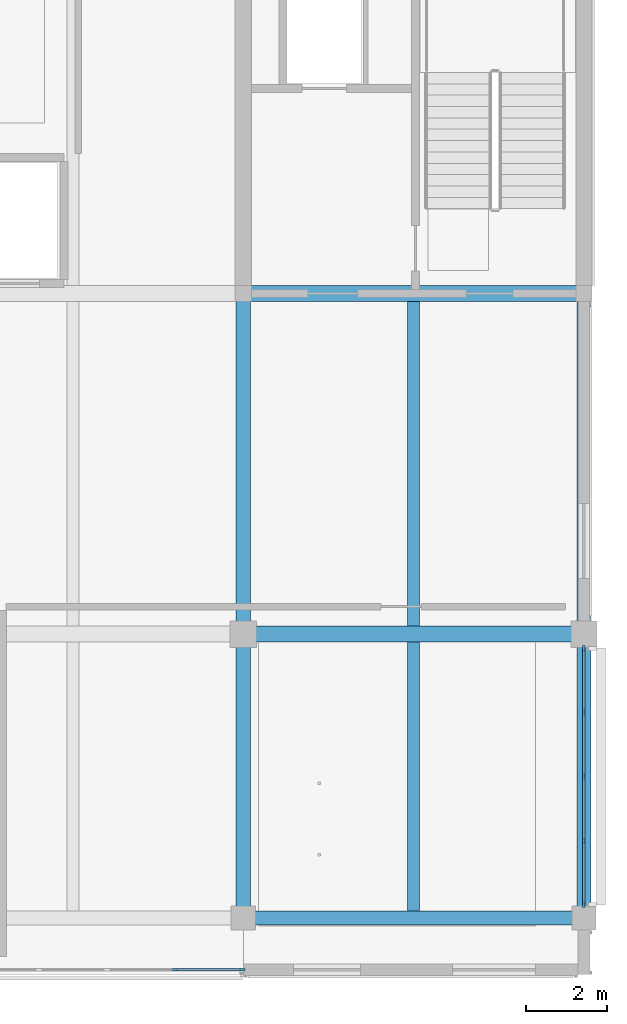
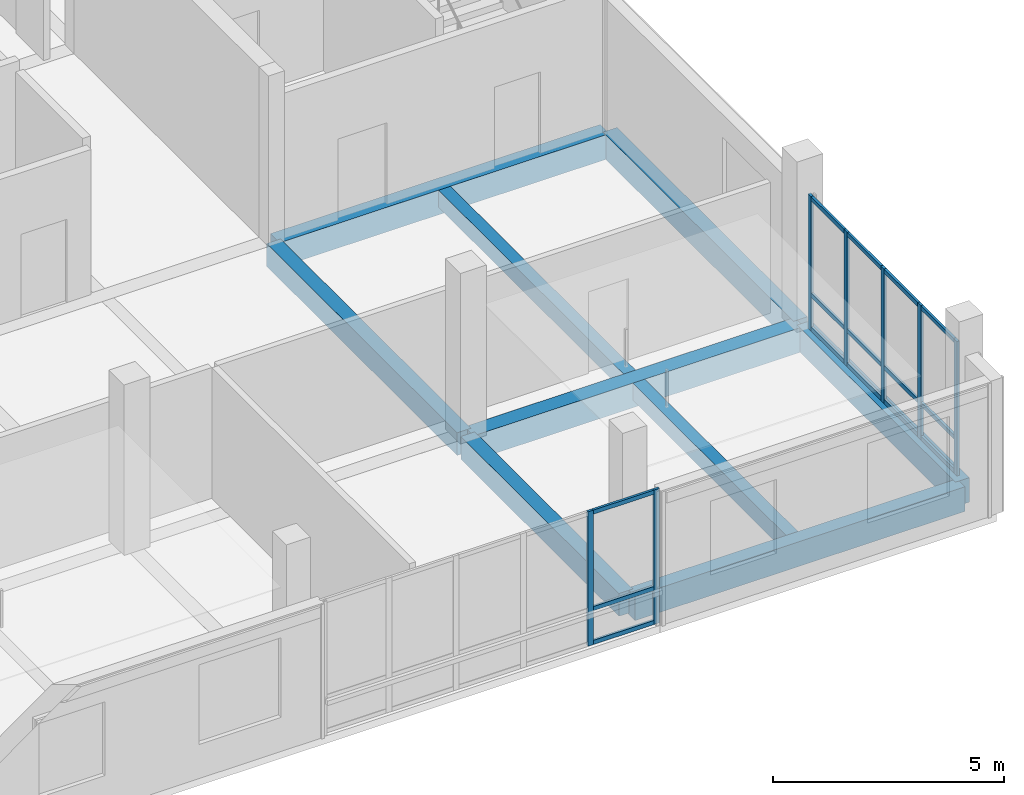
# One storey, part 6 of 29: 22 members, 9 beams, 2 elements without a shape of their own.
"""IFC4 building model written with IfcOpenShell, lengths in metres."""

from ifc_helpers import new_model, si_unit, direction, frame, origin, origin_2d, place, context, subcontext, project, spatial, rectangle, extrude, material, layer, layer_set, material_profile, profile_set, type_object, element, aggregate, save


model = new_model("IFC4")

# Units and contexts
model_context = context("Model", 3, precision=1e-05, world=origin(), true_north=direction((0.0, 1.0)))
body_context = subcontext(model_context, "Body", "Model", "MODEL_VIEW")
ifc_project = project(units=[si_unit("LENGTHUNIT", "METRE"), si_unit("AREAUNIT", "SQUARE_METRE"), si_unit("VOLUMEUNIT", "CUBIC_METRE"), si_unit("PLANEANGLEUNIT", "RADIAN"), si_unit("MASSUNIT", "GRAM", prefix="KILO")], contexts=[model_context])

# Site, building, storey
site_placement = place(None, origin())
site = spatial("IfcSite", under=ifc_project, at=site_placement, CompositionType="ELEMENT")
building_placement = place(site_placement, origin())
building = spatial("IfcBuilding", under=site, at=building_placement, Name="Telukmera Botanical Conservatory", CompositionType="ELEMENT")
storey_placement = place(building_placement, frame((0.0, 0.0, 55.5)))
storey = spatial("IfcBuildingStorey", under=building, at=storey_placement, Name="L12", CompositionType="ELEMENT", Elevation=55.5)

# Beams
ifc_material_1 = material(Name="Concrete C40/50", Category="concrete")
ifc_material_profile_1 = material_profile(ifc_material_1, rectangle(XDim=0.300048828125, YDim=0.449951171875, at=origin_2d()), Name="RC 300x450")
ifc_profile_set_1 = profile_set([ifc_material_profile_1], Name="Concrete C40/50")
beam_type_1 = type_object("IfcBeamType", Name="Beam_B25", PredefinedType="JOIST", material=ifc_profile_set_1)
beam_1_placement = place(storey_placement, frame((96.60009765625, 10.77490234375, -0.22509765625), z_axis=(0.0, 1.0, 0.0), x_axis=(-1.0, 0.0, 0.0)))
element("IfcBeam", 1, at=beam_1_placement, inside=storey, type_object=beam_type_1, Name="Tower Secondary Floor Joist L12", PredefinedType="JOIST", context=body_context, shape_type="SweptSolid", body=[
    extrude(rectangle(XDim=0.300048828125, YDim=0.449951171875, at=origin_2d()), origin(), (0.0, 0.0, 1.0), 6.625),
])
beam_2_placement = place(storey_placement, frame((96.60009765625, 17.800048828125, -0.22509765625), z_axis=(0.0, 1.0, 0.0), x_axis=(-1.0, 0.0, 0.0)))
element("IfcBeam", 2, at=beam_2_placement, inside=storey, type_object=beam_type_1, Name="Tower Secondary Floor Joist L12", PredefinedType="JOIST", context=body_context, shape_type="SweptSolid", body=[
    extrude(rectangle(XDim=0.300048828125, YDim=0.449951171875, at=origin_2d()), origin(), (0.0, 0.0, 1.0), 8.0),
])
ifc_material_profile_2 = material_profile(ifc_material_1, rectangle(XDim=0.39990234375, YDim=0.64990234375, at=origin_2d()), Name="RC 400x650")
ifc_profile_set_2 = profile_set([ifc_material_profile_2], Name="Concrete C40/50")
beam_type_2 = type_object("IfcBeamType", Name="Beam_B8", PredefinedType="BEAM", material=ifc_profile_set_2)
for number, where, z_axis, x_axis, name in (
    (3, (92.47998046875, 17.60009765625, -0.324951171875), (1.0, 0.0, 0.0), (0.0, 1.0, 0.0), "Tower Grid Beam L12"),
    (4, (92.47998046875, 26.0, -0.324951171875), (1.0, 0.0, 0.0), (0.0, 1.0, 0.0), "Tower Grid Beam L12"),
):
    element("IfcBeam", number, at=place(storey_placement, frame(where, z_axis=z_axis, x_axis=x_axis)), inside=storey, type_object=beam_type_2, Name=name, PredefinedType="BEAM", context=body_context, shape_type="SweptSolid", body=[
        extrude(rectangle(XDim=0.39990234375, YDim=0.64990234375, at=origin_2d()), origin(), (0.0, 0.0, 1.0), 8.239990234375),
    ])
ifc_material_profile_3 = material_profile(ifc_material_1, rectangle(XDim=0.35009765625, YDim=0.60009765625, at=origin_2d()), Name="RC 350x600")
ifc_profile_set_3 = profile_set([ifc_material_profile_3], Name="Concrete C40/50")
beam_type_3 = type_object("IfcBeamType", Name="Beam_B9", PredefinedType="BEAM", material=ifc_profile_set_3)
beam_3_placement = place(storey_placement, frame((92.39990234375, 10.679931640625, -0.300048828125), z_axis=(0.0, 1.0, 0.0), x_axis=(-1.0, 0.0, 0.0)))
element("IfcBeam", 5, at=beam_3_placement, inside=storey, type_object=beam_type_3, Name="Tower Transverse Beam L12", PredefinedType="BEAM", context=body_context, shape_type="SweptSolid", body=[
    extrude(rectangle(XDim=0.35009765625, YDim=0.60009765625, at=origin_2d()), origin(), (0.0, 0.0, 1.0), 6.840087890625),
])
beam_4_placement = place(storey_placement, frame((92.39990234375, 17.679931640625, -0.300048828125), z_axis=(0.0, 1.0, 0.0), x_axis=(-1.0, 0.0, 0.0)))
element("IfcBeam", 6, at=beam_4_placement, inside=storey, type_object=beam_type_3, Name="Tower Transverse Beam L12", PredefinedType="BEAM", context=body_context, shape_type="SweptSolid", body=[
    extrude(rectangle(XDim=0.35009765625, YDim=0.60009765625, at=origin_2d()), origin(), (0.0, 0.0, 1.0), 8.239990234375),
])
ifc_material_2 = material(Name="Precast concrete C40/50", Category="concrete")
ifc_material_profile_4 = material_profile(ifc_material_2, rectangle(XDim=0.35009765625, YDim=0.64990234375, at=origin_2d()), Name="PC 350x650")
ifc_profile_set_4 = profile_set([ifc_material_profile_4], Name="Precast concrete C40/50")
beam_type_4 = type_object("IfcBeamType", Name="Beam_SP3", PredefinedType="SPANDREL", material=ifc_profile_set_4)
beam_5_placement = place(storey_placement, frame((92.47998046875, 10.60009765625, -0.324951171875), z_axis=(1.0, 0.0, 0.0), x_axis=(0.0, 1.0, 0.0)))
element("IfcBeam", 7, at=beam_5_placement, inside=storey, type_object=beam_type_4, Name="Tower Grid Beam L12", PredefinedType="SPANDREL", context=body_context, shape_type="SweptSolid", body=[
    extrude(rectangle(XDim=0.35009765625, YDim=0.64990234375, at=origin_2d()), origin(), (0.0, 0.0, 1.0), 8.239990234375),
])
beam_6_placement = place(storey_placement, frame((100.800048828125, 10.679931640625, -0.324951171875), z_axis=(0.0, 1.0, 0.0), x_axis=(-1.0, 0.0, 0.0)))
element("IfcBeam", 8, at=beam_6_placement, inside=storey, type_object=beam_type_4, Name="Tower Transverse Beam L12", PredefinedType="SPANDREL", context=body_context, shape_type="SweptSolid", body=[
    extrude(rectangle(XDim=0.35009765625, YDim=0.64990234375, at=origin_2d()), origin(), (0.0, 0.0, 1.0), 6.840087890625),
])
beam_7_placement = place(storey_placement, frame((100.800048828125, 17.679931640625, -0.324951171875), z_axis=(0.0, 1.0, 0.0), x_axis=(-1.0, 0.0, 0.0)))
element("IfcBeam", 9, at=beam_7_placement, inside=storey, type_object=beam_type_4, Name="Tower Transverse Beam L12", PredefinedType="SPANDREL", context=body_context, shape_type="SweptSolid", body=[
    extrude(rectangle(XDim=0.35009765625, YDim=0.64990234375, at=origin_2d()), origin(), (0.0, 0.0, 1.0), 8.239990234375),
])

# Curtain wall, members
ifc_material_3 = material(Name="Anodised aluminium 6063-T6", Category="aluminium")
ifc_layer = layer(ifc_material_3, 0.179931640625)
ifc_layer_set = layer_set([ifc_layer], Name="Anodised aluminium 6063-T6")
curtain_wall_type = type_object("IfcCurtainWallType", Name="Tower Research Laboratory Unitised Curtain Wall", PredefinedType="USERDEFINED", material=ifc_layer_set)
curtain_wall_1_placement = place(storey_placement, origin())
curtain_wall_1 = element("IfcCurtainWall", 10, at=curtain_wall_1_placement, inside=storey, type_object=curtain_wall_type, Name="Unitised Curtain Wall CW15 V4:L12:S4", ObjectType="UNITISED CURTAIN WALL", PredefinedType="USERDEFINED")
ifc_material_profile_5 = material_profile(ifc_material_3, rectangle(XDim=0.06005859375, YDim=0.139892578125, at=origin_2d()), Name="ALU MULL 60x140")
ifc_profile_set_5 = profile_set([ifc_material_profile_5], Name="Anodised aluminium 6063-T6")
member_type_1 = type_object("IfcMemberType", Name="Curtain Wall Extruded Mullion 60x140", PredefinedType="MULLION", material=ifc_profile_set_5)
member_1_placement = place(storey_placement, frame((90.71875, 9.320068359375, 0.0), z_axis=(0.0, 0.0, 1.0), x_axis=(0.0, 1.0, 0.0)))
member_1 = element("IfcMember", 11, at=member_1_placement, type_object=member_type_1, Name="CW15 mullion 5", PredefinedType="MULLION", context=body_context, shape_type="SweptSolid", body=[
    extrude(rectangle(XDim=0.06005859375, YDim=0.139892578125, at=origin_2d()), origin(), (0.0, 0.0, 1.0), 3.550048828125),
])
member_2_placement = place(storey_placement, frame((92.367919921875, 9.320068359375, 0.0), z_axis=(0.0, 0.0, 1.0), x_axis=(0.0, 1.0, 0.0)))
member_2 = element("IfcMember", 12, at=member_2_placement, type_object=member_type_1, Name="CW15 mullion 6", PredefinedType="MULLION", context=body_context, shape_type="SweptSolid", body=[
    extrude(rectangle(XDim=0.06005859375, YDim=0.139892578125, at=origin_2d()), origin(), (0.0, 0.0, 1.0), 3.550048828125),
])

curtain_wall_2_placement = place(storey_placement, origin())
curtain_wall_2 = element("IfcCurtainWall", 13, at=curtain_wall_2_placement, inside=storey, type_object=curtain_wall_type, Name="Unitised Curtain Wall CW15 V4:L12:E1", ObjectType="UNITISED CURTAIN WALL", PredefinedType="USERDEFINED")
member_3_placement = place(storey_placement, frame((100.800048828125, 10.931884765625, 0.0), z_axis=(0.0, 0.0, 1.0), x_axis=(-1.0, 0.0, 0.0)))
member_3 = element("IfcMember", 14, at=member_3_placement, type_object=member_type_1, Name="CW15 mullion 1", PredefinedType="MULLION", context=body_context, shape_type="SweptSolid", body=[
    extrude(rectangle(XDim=0.06005859375, YDim=0.139892578125, at=origin_2d()), origin(), (0.0, 0.0, 1.0), 3.550048828125),
])
member_4_placement = place(storey_placement, frame((100.800048828125, 12.49462890625, 0.0), z_axis=(0.0, 0.0, 1.0), x_axis=(-1.0, 0.0, 0.0)))
member_4 = element("IfcMember", 15, at=member_4_placement, type_object=member_type_1, Name="CW15 mullion 2", PredefinedType="MULLION", context=body_context, shape_type="SweptSolid", body=[
    extrude(rectangle(XDim=0.06005859375, YDim=0.139892578125, at=origin_2d()), origin(), (0.0, 0.0, 1.0), 3.550048828125),
])
member_5_placement = place(storey_placement, frame((100.800048828125, 14.08740234375, 0.0), z_axis=(0.0, 0.0, 1.0), x_axis=(-1.0, 0.0, 0.0)))
member_5 = element("IfcMember", 16, at=member_5_placement, type_object=member_type_1, Name="CW15 mullion 3", PredefinedType="MULLION", context=body_context, shape_type="SweptSolid", body=[
    extrude(rectangle(XDim=0.06005859375, YDim=0.139892578125, at=origin_2d()), origin(), (0.0, 0.0, 1.0), 3.550048828125),
])
member_6_placement = place(storey_placement, frame((100.800048828125, 15.68017578125, 0.0), z_axis=(0.0, 0.0, 1.0), x_axis=(-1.0, 0.0, 0.0)))
member_6 = element("IfcMember", 17, at=member_6_placement, type_object=member_type_1, Name="CW15 mullion 4", PredefinedType="MULLION", context=body_context, shape_type="SweptSolid", body=[
    extrude(rectangle(XDim=0.06005859375, YDim=0.139892578125, at=origin_2d()), origin(), (0.0, 0.0, 1.0), 3.550048828125),
])
member_7_placement = place(storey_placement, frame((100.800048828125, 17.242919921875, 0.0), z_axis=(0.0, 0.0, 1.0), x_axis=(-1.0, 0.0, 0.0)))
member_7 = element("IfcMember", 18, at=member_7_placement, type_object=member_type_1, Name="CW15 mullion 5", PredefinedType="MULLION", context=body_context, shape_type="SweptSolid", body=[
    extrude(rectangle(XDim=0.06005859375, YDim=0.139892578125, at=origin_2d()), origin(), (0.0, 0.0, 1.0), 3.550048828125),
])

# Member
ifc_material_profile_6 = material_profile(ifc_material_3, rectangle(XDim=0.06005859375, YDim=0.110107421875, at=origin_2d()), Name="ALU TRAN 60x110")
ifc_profile_set_6 = profile_set([ifc_material_profile_6], Name="Anodised aluminium 6063-T6")
member_type_2 = type_object("IfcMemberType", Name="Curtain Wall Extruded Transom 60x110", PredefinedType="USERDEFINED", material=ifc_profile_set_6)
member_8_placement = place(storey_placement, frame((90.748779296875, 9.320068359375, 0.054931640625), z_axis=(1.0, 0.0, 0.0), x_axis=(0.0, 1.0, 0.0)))
member_8 = element("IfcMember", 19, at=member_8_placement, type_object=member_type_2, Name="CW15 transom 5.1", ObjectType="TRANSOM", PredefinedType="USERDEFINED", context=body_context, shape_type="SweptSolid", body=[
    extrude(rectangle(XDim=0.06005859375, YDim=0.110107421875, at=origin_2d()), origin(), (0.0, 0.0, 1.0), 1.589111328125),
])

member_9_placement = place(storey_placement, frame((90.748779296875, 9.320068359375, 0.949951171875), z_axis=(1.0, 0.0, 0.0), x_axis=(0.0, 1.0, 0.0)))
member_9 = element("IfcMember", 20, at=member_9_placement, type_object=member_type_2, Name="CW15 transom 5.2", ObjectType="TRANSOM", PredefinedType="USERDEFINED", context=body_context, shape_type="SweptSolid", body=[
    extrude(rectangle(XDim=0.06005859375, YDim=0.110107421875, at=origin_2d()), origin(), (0.0, 0.0, 1.0), 1.589111328125),
])

member_10_placement = place(storey_placement, frame((90.748779296875, 9.320068359375, 3.4951171875), z_axis=(1.0, 0.0, 0.0), x_axis=(0.0, 1.0, 0.0)))
member_10 = element("IfcMember", 21, at=member_10_placement, type_object=member_type_2, Name="CW15 transom 5.3", ObjectType="TRANSOM", PredefinedType="USERDEFINED", context=body_context, shape_type="SweptSolid", body=[
    extrude(rectangle(XDim=0.06005859375, YDim=0.110107421875, at=origin_2d()), origin(), (0.0, 0.0, 1.0), 1.589111328125),
])

aggregate(curtain_wall_1, [member_1, member_2, member_8, member_9, member_10])

member_11_placement = place(storey_placement, frame((100.800048828125, 10.9619140625, 0.054931640625), z_axis=(0.0, 1.0, 0.0), x_axis=(-1.0, 0.0, 0.0)))
member_11 = element("IfcMember", 22, at=member_11_placement, type_object=member_type_2, Name="CW15 transom 1.1", ObjectType="TRANSOM", PredefinedType="USERDEFINED", context=body_context, shape_type="SweptSolid", body=[
    extrude(rectangle(XDim=0.06005859375, YDim=0.110107421875, at=origin_2d()), origin(), (0.0, 0.0, 1.0), 1.5029296875),
])

member_12_placement = place(storey_placement, frame((100.800048828125, 10.9619140625, 0.949951171875), z_axis=(0.0, 1.0, 0.0), x_axis=(-1.0, 0.0, 0.0)))
member_12 = element("IfcMember", 23, at=member_12_placement, type_object=member_type_2, Name="CW15 transom 1.2", ObjectType="TRANSOM", PredefinedType="USERDEFINED", context=body_context, shape_type="SweptSolid", body=[
    extrude(rectangle(XDim=0.06005859375, YDim=0.110107421875, at=origin_2d()), origin(), (0.0, 0.0, 1.0), 1.5029296875),
])

member_13_placement = place(storey_placement, frame((100.800048828125, 10.9619140625, 3.4951171875), z_axis=(0.0, 1.0, 0.0), x_axis=(-1.0, 0.0, 0.0)))
member_13 = element("IfcMember", 24, at=member_13_placement, type_object=member_type_2, Name="CW15 transom 1.3", ObjectType="TRANSOM", PredefinedType="USERDEFINED", context=body_context, shape_type="SweptSolid", body=[
    extrude(rectangle(XDim=0.06005859375, YDim=0.110107421875, at=origin_2d()), origin(), (0.0, 0.0, 1.0), 1.5029296875),
])

member_14_placement = place(storey_placement, frame((100.800048828125, 12.524658203125, 0.054931640625), z_axis=(0.0, 1.0, 0.0), x_axis=(-1.0, 0.0, 0.0)))
member_14 = element("IfcMember", 25, at=member_14_placement, type_object=member_type_2, Name="CW15 transom 2.1", ObjectType="TRANSOM", PredefinedType="USERDEFINED", context=body_context, shape_type="SweptSolid", body=[
    extrude(rectangle(XDim=0.06005859375, YDim=0.110107421875, at=origin_2d()), origin(), (0.0, 0.0, 1.0), 1.532958984375),
])

member_15_placement = place(storey_placement, frame((100.800048828125, 12.524658203125, 0.949951171875), z_axis=(0.0, 1.0, 0.0), x_axis=(-1.0, 0.0, 0.0)))
member_15 = element("IfcMember", 26, at=member_15_placement, type_object=member_type_2, Name="CW15 transom 2.2", ObjectType="TRANSOM", PredefinedType="USERDEFINED", context=body_context, shape_type="SweptSolid", body=[
    extrude(rectangle(XDim=0.06005859375, YDim=0.110107421875, at=origin_2d()), origin(), (0.0, 0.0, 1.0), 1.532958984375),
])

member_16_placement = place(storey_placement, frame((100.800048828125, 12.524658203125, 3.4951171875), z_axis=(0.0, 1.0, 0.0), x_axis=(-1.0, 0.0, 0.0)))
member_16 = element("IfcMember", 27, at=member_16_placement, type_object=member_type_2, Name="CW15 transom 2.3", ObjectType="TRANSOM", PredefinedType="USERDEFINED", context=body_context, shape_type="SweptSolid", body=[
    extrude(rectangle(XDim=0.06005859375, YDim=0.110107421875, at=origin_2d()), origin(), (0.0, 0.0, 1.0), 1.532958984375),
])

member_17_placement = place(storey_placement, frame((100.800048828125, 14.117431640625, 0.054931640625), z_axis=(0.0, 1.0, 0.0), x_axis=(-1.0, 0.0, 0.0)))
member_17 = element("IfcMember", 28, at=member_17_placement, type_object=member_type_2, Name="CW15 transom 3.1", ObjectType="TRANSOM", PredefinedType="USERDEFINED", context=body_context, shape_type="SweptSolid", body=[
    extrude(rectangle(XDim=0.06005859375, YDim=0.110107421875, at=origin_2d()), origin(), (0.0, 0.0, 1.0), 1.53271484375),
])

member_18_placement = place(storey_placement, frame((100.800048828125, 14.117431640625, 0.949951171875), z_axis=(0.0, 1.0, 0.0), x_axis=(-1.0, 0.0, 0.0)))
member_18 = element("IfcMember", 29, at=member_18_placement, type_object=member_type_2, Name="CW15 transom 3.2", ObjectType="TRANSOM", PredefinedType="USERDEFINED", context=body_context, shape_type="SweptSolid", body=[
    extrude(rectangle(XDim=0.06005859375, YDim=0.110107421875, at=origin_2d()), origin(), (0.0, 0.0, 1.0), 1.53271484375),
])

member_19_placement = place(storey_placement, frame((100.800048828125, 14.117431640625, 3.4951171875), z_axis=(0.0, 1.0, 0.0), x_axis=(-1.0, 0.0, 0.0)))
member_19 = element("IfcMember", 30, at=member_19_placement, type_object=member_type_2, Name="CW15 transom 3.3", ObjectType="TRANSOM", PredefinedType="USERDEFINED", context=body_context, shape_type="SweptSolid", body=[
    extrude(rectangle(XDim=0.06005859375, YDim=0.110107421875, at=origin_2d()), origin(), (0.0, 0.0, 1.0), 1.53271484375),
])

member_20_placement = place(storey_placement, frame((100.800048828125, 15.710205078125, 0.054931640625), z_axis=(0.0, 1.0, 0.0), x_axis=(-1.0, 0.0, 0.0)))
member_20 = element("IfcMember", 31, at=member_20_placement, type_object=member_type_2, Name="CW15 transom 4.1", ObjectType="TRANSOM", PredefinedType="USERDEFINED", context=body_context, shape_type="SweptSolid", body=[
    extrude(rectangle(XDim=0.06005859375, YDim=0.110107421875, at=origin_2d()), origin(), (0.0, 0.0, 1.0), 1.502685546875),
])

member_21_placement = place(storey_placement, frame((100.800048828125, 15.710205078125, 0.949951171875), z_axis=(0.0, 1.0, 0.0), x_axis=(-1.0, 0.0, 0.0)))
member_21 = element("IfcMember", 32, at=member_21_placement, type_object=member_type_2, Name="CW15 transom 4.2", ObjectType="TRANSOM", PredefinedType="USERDEFINED", context=body_context, shape_type="SweptSolid", body=[
    extrude(rectangle(XDim=0.06005859375, YDim=0.110107421875, at=origin_2d()), origin(), (0.0, 0.0, 1.0), 1.502685546875),
])

member_22_placement = place(storey_placement, frame((100.800048828125, 15.710205078125, 3.4951171875), z_axis=(0.0, 1.0, 0.0), x_axis=(-1.0, 0.0, 0.0)))
member_22 = element("IfcMember", 33, at=member_22_placement, type_object=member_type_2, Name="CW15 transom 4.3", ObjectType="TRANSOM", PredefinedType="USERDEFINED", context=body_context, shape_type="SweptSolid", body=[
    extrude(rectangle(XDim=0.06005859375, YDim=0.110107421875, at=origin_2d()), origin(), (0.0, 0.0, 1.0), 1.502685546875),
])

aggregate(curtain_wall_2, [member_3, member_4, member_5, member_6, member_7, member_11, member_12, member_13, member_14, member_15, member_16, member_17, member_18, member_19, member_20, member_21, member_22])

save(model, "model.ifc")
